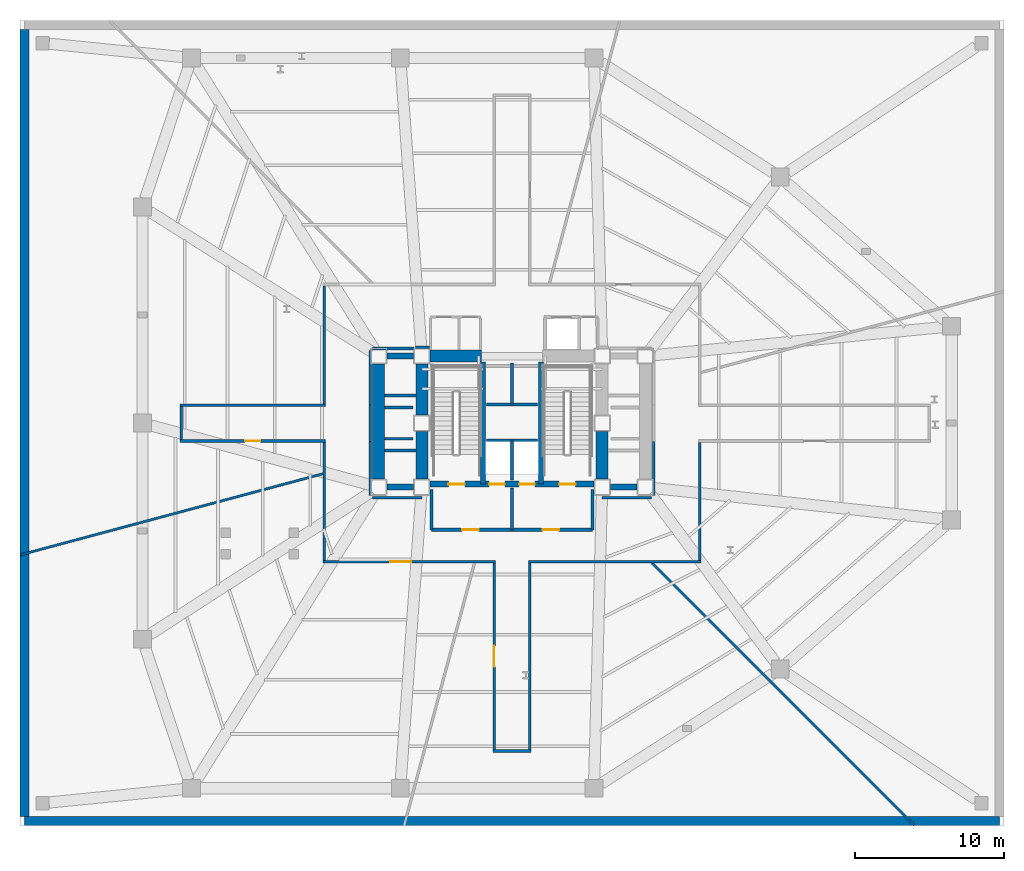
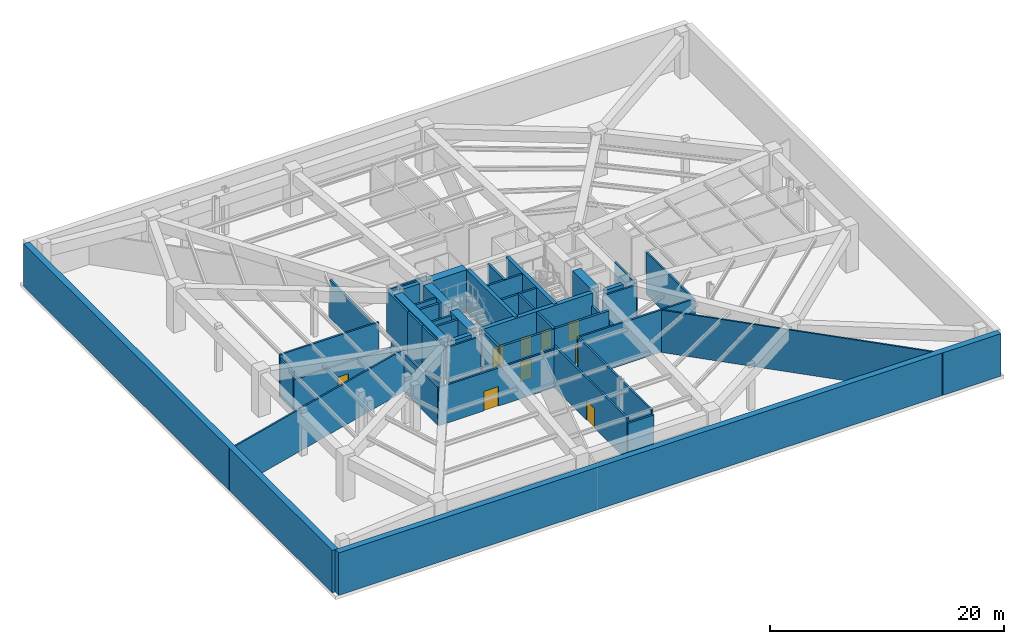
# One storey, part 3 of 6: 47 walls, 9 doors, 9 openings.
"""IFC4 building model written with IfcOpenShell, lengths in metres."""

from ifc_helpers import new_model, si_unit, direction, frame, frame_2d, origin, place, context, subcontext, project, spatial, rectangle, extrude, material, layer, layer_set, type_object, element, fill, save


model = new_model("IFC4")

# Units and contexts
model_context = context("Model", 3, precision=1e-05, world=origin(), true_north=direction((0.0, 1.0)))
body_context = subcontext(model_context, "Body", "Model", "MODEL_VIEW")
ifc_project = project(units=[si_unit("LENGTHUNIT", "METRE"), si_unit("AREAUNIT", "SQUARE_METRE"), si_unit("VOLUMEUNIT", "CUBIC_METRE"), si_unit("PLANEANGLEUNIT", "RADIAN"), si_unit("MASSUNIT", "GRAM", prefix="KILO")], contexts=[model_context])

# Site, building, storey
site_placement = place(None, origin())
site = spatial("IfcSite", under=ifc_project, at=site_placement, CompositionType="ELEMENT")
building_placement = place(site_placement, origin())
building = spatial("IfcBuilding", under=site, at=building_placement, Name="Rocaltana Carrier Exchange", CompositionType="ELEMENT")
storey_placement = place(building_placement, frame((0.0, 0.0, -4.800048828125)))
storey = spatial("IfcBuildingStorey", under=building, at=storey_placement, Name="Upper Basement", CompositionType="ELEMENT", Elevation=-4.800048828125)

# Walls
ifc_material_1 = material(Name="Double Acoustic Gypsum Partition", Category="gypsum")
ifc_layer_1 = layer(ifc_material_1, 0.159912109375)
ifc_layer_set_1 = layer_set([ifc_layer_1], Name="Double Acoustic Gypsum Partition")
wall_type_1 = type_object("IfcWallType", Name="Acoustic Studio Partition 160 EI60", PredefinedType="PARTITIONING", material=ifc_layer_set_1)
wall_1_placement = place(storey_placement, frame((-12.679931640625, -3.397705078125, 0.0), z_axis=(0.0, 0.0, 1.0), x_axis=(-0.965927838808, -0.258811534163, 0.0)))
element("IfcWall", 1, at=wall_1_placement, inside=storey, type_object=wall_type_1, Name="Upper Basement Suite Divider Wall D1", PredefinedType="PARTITIONING", context=body_context, shape_type="SweptSolid", body=[
    extrude(rectangle(XDim=21.0263671875, YDim=0.159912109375, at=frame_2d((10.51318359375, 0.0))), origin(), (0.0, 0.0, 1.0), 4.4130859375),
])
wall_2_placement = place(storey_placement, frame((9.3798828125, -9.3798828125, 0.0), z_axis=(0.0, 0.0, 1.0), x_axis=(0.707106781187, -0.707106781187, 0.0)))
element("IfcWall", 2, at=wall_2_placement, inside=storey, type_object=wall_type_1, Name="Upper Basement Suite Divider Wall D3", PredefinedType="PARTITIONING", context=body_context, shape_type="SweptSolid", body=[
    extrude(rectangle(XDim=24.904541015625, YDim=0.159912109375, at=frame_2d((12.4521484375, 0.0))), origin(), (0.0, 0.0, 1.0), 4.4130859375),
])
ifc_material_2 = material(Name="Concrete C50/60", Category="concrete")
ifc_layer_2 = layer(ifc_material_2, 0.60009765625)
ifc_layer_set_2 = layer_set([ifc_layer_2], Name="Concrete C50/60")
wall_type_2 = type_object("IfcWallType", Name="Basement Diaphragm Wall 600", PredefinedType="SOLIDWALL", material=ifc_layer_set_2)
wall_3_placement = place(storey_placement, frame((-32.699951171875, -26.699951171875, 0.0), z_axis=(0.0, 0.0, 1.0), x_axis=(1.0, 0.0, 0.0)))
element("IfcWall", 3, at=wall_3_placement, inside=storey, type_object=wall_type_2, Name="Upper Basement Diaphragm Wall RW-S", PredefinedType="SOLIDWALL", context=body_context, shape_type="SweptSolid", body=[
    extrude(rectangle(XDim=65.39990234375, YDim=0.60009765625, at=frame_2d((32.699951171875, 0.0))), origin(), (0.0, 0.0, 1.0), 4.43798828125),
])
wall_4_placement = place(storey_placement, frame((-32.699951171875, -26.39990234375, 0.0), z_axis=(0.0, 0.0, 1.0), x_axis=(0.0, 1.0, 0.0)))
element("IfcWall", 4, at=wall_4_placement, inside=storey, type_object=wall_type_2, Name="Upper Basement Diaphragm Wall RW-W", PredefinedType="SOLIDWALL", context=body_context, shape_type="SweptSolid", body=[
    extrude(rectangle(XDim=52.7998046875, YDim=0.60009765625, at=frame_2d((26.39990234375, 0.0))), origin(), (0.0, 0.0, 1.0), 4.43798828125),
])
ifc_material_3 = material(Name="Concrete C50/60", Category="concrete")
ifc_layer_3 = layer(ifc_material_3, 0.35009765625)
ifc_layer_set_3 = layer_set([ifc_layer_3], Name="Concrete C50/60")
wall_type_3 = type_object("IfcWallType", Name="Core Internal Shear Wall 350", PredefinedType="SHEAR", material=ifc_layer_set_3)
for number, where, z_axis, x_axis, name in (
    (5, (-1.93994140625, -4.10009765625, 0.0), (0.0, 0.0, 1.0), (0.0, 1.0, 0.0), "Upper Basement Core Shear Wall CW-STW"),
    (6, (1.93994140625, -4.10009765625, 0.0), (0.0, 0.0, 1.0), (0.0, 1.0, 0.0), "Upper Basement Core Shear Wall CW-STE"),
):
    element("IfcWall", number, at=place(storey_placement, frame(where, z_axis=z_axis, x_axis=x_axis)), inside=storey, type_object=wall_type_3, Name=name, PredefinedType="SHEAR", context=body_context, shape_type="SweptSolid", body=[
        extrude(rectangle(XDim=8.2001953125, YDim=0.35009765625, at=frame_2d((4.10009765625, 0.0))), origin(), (0.0, 0.0, 1.0), 4.43798828125),
    ])

# Wall, openings, doors
ifc_material_4 = material(Name="Concrete C50/60", Category="concrete")
ifc_layer_4 = layer(ifc_material_4, 0.39990234375)
ifc_layer_set_4 = layer_set([ifc_layer_4], Name="Concrete C50/60")
wall_type_4 = type_object("IfcWallType", Name="Core Internal Shear Wall 400", PredefinedType="SHEAR", material=ifc_layer_set_4)
wall_5_placement = place(storey_placement, frame((-5.5, -4.10009765625, 0.0), z_axis=(0.0, 0.0, 1.0), x_axis=(1.0, 0.0, 0.0)))
wall_5 = element("IfcWall", 7, at=wall_5_placement, inside=storey, type_object=wall_type_4, Name="Upper Basement Core Shear Wall CW-S", PredefinedType="SHEAR", context=body_context, shape_type="SweptSolid", body=[
    extrude(rectangle(XDim=11.0, YDim=0.39990234375, at=frame_2d((5.5, 0.0))), origin(), (0.0, 0.0, 1.0), 4.43798828125),
])
opening_1_placement = place(wall_5_placement, frame((1.22998046875, 0.0, 0.0)))
opening_1 = element("IfcOpeningElement", 8, at=opening_1_placement, cuts=wall_5, Name="Opening D-ST110", PredefinedType="OPENING", context=body_context, shape_type="SweptSolid", body=[
    extrude(rectangle(XDim=1.10009765625, YDim=2.0400390625, at=frame_2d((0.550048828125, 1.02001953125))), frame((0.0, 0.2099609375, 0.0), z_axis=(0.0, -1.0, 0.0), x_axis=(1.0, 0.0, 0.0)), (0.0, 0.0, 1.0), 0.419921875),
])
opening_2_placement = place(wall_5_placement, frame((8.669921875, 0.0, 0.0)))
opening_2 = element("IfcOpeningElement", 9, at=opening_2_placement, cuts=wall_5, Name="Opening D-ST110", PredefinedType="OPENING", context=body_context, shape_type="SweptSolid", body=[
    extrude(rectangle(XDim=1.10009765625, YDim=2.0400390625, at=frame_2d((0.550048828125, 1.02001953125))), frame((0.0, 0.2099609375, 0.0), z_axis=(0.0, -1.0, 0.0), x_axis=(1.0, 0.0, 0.0)), (0.0, 0.0, 1.0), 0.419921875),
])
opening_3_placement = place(wall_5_placement, frame((3.969970703125, 0.0, 0.0)))
opening_3 = element("IfcOpeningElement", 10, at=opening_3_placement, cuts=wall_5, Name="Opening LD-110", PredefinedType="OPENING", context=body_context, shape_type="SweptSolid", body=[
    extrude(rectangle(XDim=1.06005859375, YDim=2.0400390625, at=frame_2d((0.530029296875, 1.02001953125))), frame((0.0, 0.2099609375, 0.0), z_axis=(0.0, -1.0, 0.0), x_axis=(1.0, 0.0, 0.0)), (0.0, 0.0, 1.0), 0.419921875),
])
opening_4_placement = place(wall_5_placement, frame((5.969970703125, 0.0, 0.0)))
opening_4 = element("IfcOpeningElement", 11, at=opening_4_placement, cuts=wall_5, Name="Opening LD-110", PredefinedType="OPENING", context=body_context, shape_type="SweptSolid", body=[
    extrude(rectangle(XDim=1.06005859375, YDim=2.0400390625, at=frame_2d((0.530029296875, 1.02001953125))), frame((0.0, 0.2099609375, 0.0), z_axis=(0.0, -1.0, 0.0), x_axis=(1.0, 0.0, 0.0)), (0.0, 0.0, 1.0), 0.419921875),
])
ifc_material_5 = material(Name="Hollow Metal Fire Door Assembly", Category="steel")
door_type_1 = type_object("IfcDoorType", Name="Exit Stair Fire Door 1100x2040 FD90S", OperationType="NOTDEFINED", PredefinedType="DOOR", material=ifc_material_5)
door_1_placement = place(opening_1_placement, origin())
door_1 = element("IfcDoor", 12, at=door_1_placement, inside=storey, type_object=door_type_1, Name="Upper Basement Exit Stair ST1 Fire Door", OperationType="SINGLE_SWING_LEFT", OverallHeight=2.0400390625, OverallWidth=1.10009765625, PredefinedType="DOOR", context=body_context, shape_type="SweptSolid", body=[
    extrude(rectangle(XDim=1.10009765625, YDim=2.0400390625, at=frame_2d((0.550048828125, 1.02001953125))), frame((0.0, 0.02490234375, 0.0), z_axis=(0.0, -1.0, 0.0), x_axis=(1.0, 0.0, 0.0)), (0.0, 0.0, 1.0), 0.050048828125),
])
fill(opening_1, door_1)
door_2_placement = place(opening_2_placement, origin())
door_2 = element("IfcDoor", 13, at=door_2_placement, inside=storey, type_object=door_type_1, Name="Upper Basement Exit Stair ST2 Fire Door", OperationType="SINGLE_SWING_RIGHT", OverallHeight=2.0400390625, OverallWidth=1.10009765625, PredefinedType="DOOR", context=body_context, shape_type="SweptSolid", body=[
    extrude(rectangle(XDim=1.10009765625, YDim=2.0400390625, at=frame_2d((0.550048828125, 1.02001953125))), frame((0.0, 0.02490234375, 0.0), z_axis=(0.0, -1.0, 0.0), x_axis=(1.0, 0.0, 0.0)), (0.0, 0.0, 1.0), 0.050048828125),
])
fill(opening_2, door_2)
ifc_material_6 = material(Name="Brushed Stainless Sliding Door Leaf", Category="steel")
door_type_2 = type_object("IfcDoorType", Name="Lift Landing Sliding Door 1060x2040", OperationType="NOTDEFINED", PredefinedType="DOOR", material=ifc_material_6)
door_3_placement = place(opening_3_placement, origin())
door_3 = element("IfcDoor", 14, at=door_3_placement, inside=storey, type_object=door_type_2, Name="Upper Basement Firefighting Lift FFL1 Landing Door", OperationType="SLIDING_TO_LEFT", OverallHeight=2.0400390625, OverallWidth=1.06005859375, PredefinedType="DOOR", context=body_context, shape_type="SweptSolid", body=[
    extrude(rectangle(XDim=1.06005859375, YDim=2.0400390625, at=frame_2d((0.530029296875, 1.02001953125))), frame((0.0, 0.02490234375, 0.0), z_axis=(0.0, -1.0, 0.0), x_axis=(1.0, 0.0, 0.0)), (0.0, 0.0, 1.0), 0.050048828125),
])
fill(opening_3, door_3)
door_4_placement = place(opening_4_placement, origin())
door_4 = element("IfcDoor", 15, at=door_4_placement, inside=storey, type_object=door_type_2, Name="Upper Basement Firefighting Lift FFL2 Landing Door", OperationType="SLIDING_TO_RIGHT", OverallHeight=2.0400390625, OverallWidth=1.06005859375, PredefinedType="DOOR", context=body_context, shape_type="SweptSolid", body=[
    extrude(rectangle(XDim=1.06005859375, YDim=2.0400390625, at=frame_2d((0.530029296875, 1.02001953125))), frame((0.0, 0.02490234375, 0.0), z_axis=(0.0, -1.0, 0.0), x_axis=(1.0, 0.0, 0.0)), (0.0, 0.0, 1.0), 0.050048828125),
])
fill(opening_4, door_4)

# Walls
for number, where, z_axis, x_axis, name in (
    (16, (-8.39990234375, 4.5, 0.0), (0.0, 0.0, 1.0), (1.0, 0.0, 0.0), "Upper Basement Core Shear Wall CW-WWN"),
    (17, (-8.39990234375, -4.300048828125, 0.0), (0.0, 0.0, 1.0), (1.0, 0.0, 0.0), "Upper Basement Core Shear Wall CW-WWS"),
    (18, (6.60009765625, -4.300048828125, 0.0), (0.0, 0.0, 1.0), (1.0, 0.0, 0.0), "Upper Basement Core Shear Wall CW-EWS"),
):
    element("IfcWall", number, at=place(storey_placement, frame(where, z_axis=z_axis, x_axis=x_axis)), inside=storey, type_object=wall_type_4, Name=name, PredefinedType="SHEAR", context=body_context, shape_type="SweptSolid", body=[
        extrude(rectangle(XDim=1.7998046875, YDim=0.39990234375, at=frame_2d((0.89990234375, 0.0))), origin(), (0.0, 0.0, 1.0), 4.43798828125),
    ])
ifc_material_7 = material(Name="Concrete C60/75", Category="concrete")
ifc_layer_5 = layer(ifc_material_7, 0.800048828125)
ifc_layer_set_5 = layer_set([ifc_layer_5], Name="Concrete C60/75")
wall_type_5 = type_object("IfcWallType", Name="Core Shear Wall 800", PredefinedType="SHEAR", material=ifc_layer_set_5)
wall_6_placement = place(storey_placement, frame((-6.050048828125, 0.550048828125, 0.0), z_axis=(0.0, 0.0, 1.0), x_axis=(0.0, 1.0, 0.0)))
element("IfcWall", 19, at=wall_6_placement, inside=storey, type_object=wall_type_5, Name="Upper Basement Core Shear Wall CW-WN", PredefinedType="SHEAR", context=body_context, shape_type="SweptSolid", body=[
    extrude(rectangle(XDim=3.39990234375, YDim=0.800048828125, at=frame_2d((1.699951171875, 0.0))), origin(), (0.0, 0.0, 1.0), 4.43798828125),
])
for number, where, z_axis, x_axis, name in (
    (20, (-6.050048828125, -3.75, 0.0), (0.0, 0.0, 1.0), (0.0, 1.0, 0.0), "Upper Basement Core Shear Wall CW-WS"),
    (21, (6.050048828125, -3.75, 0.0), (0.0, 0.0, 1.0), (0.0, 1.0, 0.0), "Upper Basement Core Shear Wall CW-ES"),
):
    element("IfcWall", number, at=place(storey_placement, frame(where, z_axis=z_axis, x_axis=x_axis)), inside=storey, type_object=wall_type_5, Name=name, PredefinedType="SHEAR", context=body_context, shape_type="SweptSolid", body=[
        extrude(rectangle(XDim=3.199951171875, YDim=0.800048828125, at=frame_2d((1.60009765625, 0.0))), origin(), (0.0, 0.0, 1.0), 4.43798828125),
    ])
wall_7_placement = place(storey_placement, frame((-5.5, 4.5, 0.0), z_axis=(0.0, 0.0, 1.0), x_axis=(1.0, 0.0, 0.0)))
element("IfcWall", 22, at=wall_7_placement, inside=storey, type_object=wall_type_5, Name="Upper Basement Core Shear Wall CW-N1", PredefinedType="SHEAR", context=body_context, shape_type="SweptSolid", body=[
    extrude(rectangle(XDim=3.449951171875, YDim=0.800048828125, at=frame_2d((1.72509765625, 0.0))), origin(), (0.0, 0.0, 1.0), 4.43798828125),
])
wall_8_placement = place(storey_placement, frame((-8.949951171875, -3.75, 0.0), z_axis=(0.0, 0.0, 1.0), x_axis=(0.0, 1.0, 0.0)))
element("IfcWall", 23, at=wall_8_placement, inside=storey, type_object=wall_type_5, Name="Upper Basement Core Shear Wall CW-WW", PredefinedType="SHEAR", context=body_context, shape_type="SweptSolid", body=[
    extrude(rectangle(XDim=7.699951171875, YDim=0.800048828125, at=frame_2d((3.85009765625, 0.0))), origin(), (0.0, 0.0, 1.0), 4.43798828125),
])
ifc_material_8 = material(Name="Gypsum & Steel Stud Partition", Category="steel")
ifc_layer_6 = layer(ifc_material_8, 0.179931640625)
ifc_layer_set_6 = layer_set([ifc_layer_6], Name="Gypsum & Steel Stud Partition")
wall_type_6 = type_object("IfcWallType", Name="Corridor Fire Partition 180 EI60", PredefinedType="PARTITIONING", material=ifc_layer_set_6)
wall_9_placement = place(storey_placement, frame((-22.199951171875, -1.110107421875, 0.0), z_axis=(0.0, 0.0, 1.0), x_axis=(0.0, 1.0, 0.0)))
element("IfcWall", 24, at=wall_9_placement, inside=storey, type_object=wall_type_6, Name="Upper Basement Corridor Partition 1", PredefinedType="PARTITIONING", context=body_context, shape_type="SweptSolid", body=[
    extrude(rectangle(XDim=2.22021484375, YDim=0.179931640625, at=frame_2d((1.110107421875, 0.0))), origin(), (0.0, 0.0, 1.0), 3.97998046875),
])
wall_10_placement = place(storey_placement, frame((-22.2900390625, 1.199951171875, 0.0), z_axis=(0.0, 0.0, 1.0), x_axis=(1.0, 0.0, 0.0)))
element("IfcWall", 25, at=wall_10_placement, inside=storey, type_object=wall_type_6, Name="Upper Basement Corridor Partition 2", PredefinedType="PARTITIONING", context=body_context, shape_type="SweptSolid", body=[
    extrude(rectangle(XDim=9.780029296875, YDim=0.179931640625, at=frame_2d((4.89013671875, 0.0))), origin(), (0.0, 0.0, 1.0), 4.4130859375),
])
wall_11_placement = place(storey_placement, frame((-12.60009765625, 1.2900390625, 0.0), z_axis=(0.0, 0.0, 1.0), x_axis=(0.0, 1.0, 0.0)))
element("IfcWall", 26, at=wall_11_placement, inside=storey, type_object=wall_type_6, Name="Upper Basement Corridor Partition 3", PredefinedType="PARTITIONING", context=body_context, shape_type="SweptSolid", body=[
    extrude(rectangle(XDim=7.919921875, YDim=0.179931640625, at=frame_2d((3.9599609375, 0.0))), origin(), (0.0, 0.0, 1.0), 3.97998046875),
])
wall_12_placement = place(storey_placement, frame((12.60009765625, -1.2900390625, 0.0), z_axis=(0.0, 0.0, 1.0), x_axis=(0.0, -1.0, 0.0)))
element("IfcWall", 27, at=wall_12_placement, inside=storey, type_object=wall_type_6, Name="Upper Basement Corridor Partition 13", PredefinedType="PARTITIONING", context=body_context, shape_type="SweptSolid", body=[
    extrude(rectangle(XDim=7.919921875, YDim=0.179931640625, at=frame_2d((3.9599609375, 0.0))), origin(), (0.0, 0.0, 1.0), 4.4130859375),
])
wall_13_placement = place(storey_placement, frame((12.68994140625, -9.300048828125, 0.0), z_axis=(0.0, 0.0, 1.0), x_axis=(-1.0, 0.0, 0.0)))
element("IfcWall", 28, at=wall_13_placement, inside=storey, type_object=wall_type_6, Name="Upper Basement Corridor Partition 14", PredefinedType="PARTITIONING", context=body_context, shape_type="SweptSolid", body=[
    extrude(rectangle(XDim=11.579833984375, YDim=0.179931640625, at=frame_2d((5.7900390625, 0.0))), origin(), (0.0, 0.0, 1.0), 4.4130859375),
])
wall_14_placement = place(storey_placement, frame((1.199951171875, -9.389892578125, 0.0), z_axis=(0.0, 0.0, 1.0), x_axis=(0.0, -1.0, 0.0)))
element("IfcWall", 29, at=wall_14_placement, inside=storey, type_object=wall_type_6, Name="Upper Basement Corridor Partition 15", PredefinedType="PARTITIONING", context=body_context, shape_type="SweptSolid", body=[
    extrude(rectangle(XDim=12.52001953125, YDim=0.179931640625, at=frame_2d((6.260009765625, 0.0))), origin(), (0.0, 0.0, 1.0), 4.4130859375),
])
wall_15_placement = place(storey_placement, frame((1.2900390625, -22.0, 0.0), z_axis=(0.0, 0.0, 1.0), x_axis=(-1.0, 0.0, 0.0)))
element("IfcWall", 30, at=wall_15_placement, inside=storey, type_object=wall_type_6, Name="Upper Basement Corridor Partition 16", PredefinedType="PARTITIONING", context=body_context, shape_type="SweptSolid", body=[
    extrude(rectangle(XDim=2.580078125, YDim=0.179931640625, at=frame_2d((1.2900390625, 0.0))), origin(), (0.0, 0.0, 1.0), 3.97998046875),
])

# Wall, opening, door
wall_16_placement = place(storey_placement, frame((-1.199951171875, -21.909912109375, 0.0), z_axis=(0.0, 0.0, 1.0), x_axis=(0.0, 1.0, 0.0)))
wall_16 = element("IfcWall", 31, at=wall_16_placement, inside=storey, type_object=wall_type_6, Name="Upper Basement Corridor Partition 17", PredefinedType="PARTITIONING", context=body_context, shape_type="SweptSolid", body=[
    extrude(rectangle(XDim=12.52001953125, YDim=0.179931640625, at=frame_2d((6.260009765625, 0.0))), origin(), (0.0, 0.0, 1.0), 4.4130859375),
])
opening_5_placement = place(wall_16_placement, frame((5.56005859375, 0.0, 0.0)))
opening_5 = element("IfcOpeningElement", 32, at=opening_5_placement, cuts=wall_16, Name="Opening G-SEC150", PredefinedType="OPENING", context=body_context, shape_type="SweptSolid", body=[
    extrude(rectangle(XDim=1.39990234375, YDim=2.0400390625, at=frame_2d((0.699951171875, 1.02001953125))), frame((0.0, 0.099853515625, 0.0), z_axis=(0.0, -1.0, 0.0), x_axis=(1.0, 0.0, 0.0)), (0.0, 0.0, 1.0), 0.199951171875),
])
ifc_material_9 = material(Name="Anodised Aluminium Security Grille", Category="aluminium")
door_type_3 = type_object("IfcDoorType", Name="Plant & Substation Security Gate 1400x2040", OperationType="NOTDEFINED", PredefinedType="GATE", material=ifc_material_9)
door_5_placement = place(opening_5_placement, origin())
door_5 = element("IfcDoor", 33, at=door_5_placement, inside=storey, type_object=door_type_3, Name="Upper Basement Uninterruptible Power Supply Vault Entrance Door", OperationType="SINGLE_SWING_LEFT", OverallHeight=2.0400390625, OverallWidth=1.39990234375, PredefinedType="GATE", context=body_context, shape_type="SweptSolid", body=[
    extrude(rectangle(XDim=1.39990234375, YDim=2.0400390625, at=frame_2d((0.699951171875, 1.02001953125))), frame((0.0, 0.02490234375, 0.0), z_axis=(0.0, -1.0, 0.0), x_axis=(1.0, 0.0, 0.0)), (0.0, 0.0, 1.0), 0.050048828125),
])
fill(opening_5, door_5)

wall_17_placement = place(storey_placement, frame((-1.110107421875, -9.300048828125, 0.0), z_axis=(0.0, 0.0, 1.0), x_axis=(-1.0, 0.0, 0.0)))
wall_17 = element("IfcWall", 34, at=wall_17_placement, inside=storey, type_object=wall_type_6, Name="Upper Basement Corridor Partition 18", PredefinedType="PARTITIONING", context=body_context, shape_type="SweptSolid", body=[
    extrude(rectangle(XDim=11.579833984375, YDim=0.179931640625, at=frame_2d((5.7900390625, 0.0))), origin(), (0.0, 0.0, 1.0), 3.97998046875),
])
opening_6_placement = place(wall_17_placement, frame((5.662841796875, 0.0, 0.0)))
opening_6 = element("IfcOpeningElement", 35, at=opening_6_placement, cuts=wall_17, Name="Opening G-SEC150", PredefinedType="OPENING", context=body_context, shape_type="SweptSolid", body=[
    extrude(rectangle(XDim=1.39990234375, YDim=2.0400390625, at=frame_2d((0.699951171875, 1.02001953125))), frame((0.0, 0.099853515625, 0.0), z_axis=(0.0, -1.0, 0.0), x_axis=(1.0, 0.0, 0.0)), (0.0, 0.0, 1.0), 0.199951171875),
])
door_6_placement = place(opening_6_placement, origin())
door_6 = element("IfcDoor", 36, at=door_6_placement, inside=storey, type_object=door_type_3, Name="Upper Basement Medium-Voltage Switchgear Hall Entrance Door", OperationType="SINGLE_SWING_RIGHT", OverallHeight=2.0400390625, OverallWidth=1.39990234375, PredefinedType="GATE", context=body_context, shape_type="SweptSolid", body=[
    extrude(rectangle(XDim=1.39990234375, YDim=2.0400390625, at=frame_2d((0.699951171875, 1.02001953125))), frame((0.0, 0.02490234375, 0.0), z_axis=(0.0, -1.0, 0.0), x_axis=(1.0, 0.0, 0.0)), (0.0, 0.0, 1.0), 0.050048828125),
])
fill(opening_6, door_6)

# Wall
wall_18_placement = place(storey_placement, frame((-12.60009765625, -9.2099609375, 0.0), z_axis=(0.0, 0.0, 1.0), x_axis=(0.0, 1.0, 0.0)))
element("IfcWall", 37, at=wall_18_placement, inside=storey, type_object=wall_type_6, Name="Upper Basement Corridor Partition 19", PredefinedType="PARTITIONING", context=body_context, shape_type="SweptSolid", body=[
    extrude(rectangle(XDim=7.919921875, YDim=0.179931640625, at=frame_2d((3.9599609375, 0.0))), origin(), (0.0, 0.0, 1.0), 3.97998046875),
])

# Wall, opening, door
wall_19_placement = place(storey_placement, frame((-12.510009765625, -1.199951171875, 0.0), z_axis=(0.0, 0.0, 1.0), x_axis=(-1.0, 0.0, 0.0)))
wall_19 = element("IfcWall", 38, at=wall_19_placement, inside=storey, type_object=wall_type_6, Name="Upper Basement Corridor Partition 20", PredefinedType="PARTITIONING", context=body_context, shape_type="SweptSolid", body=[
    extrude(rectangle(XDim=9.780029296875, YDim=0.179931640625, at=frame_2d((4.89013671875, 0.0))), origin(), (0.0, 0.0, 1.0), 3.2431640625),
])
opening_7_placement = place(wall_19_placement, frame((4.3798828125, 0.0, 0.0)))
opening_7 = element("IfcOpeningElement", 39, at=opening_7_placement, cuts=wall_19, Name="Opening D-LB104", PredefinedType="OPENING", context=body_context, shape_type="SweptSolid", body=[
    extrude(rectangle(XDim=1.02001953125, YDim=2.02001953125, at=frame_2d((0.510009765625, 1.010009765625))), frame((0.0, 0.099853515625, 0.0), z_axis=(0.0, -1.0, 0.0), x_axis=(1.0, 0.0, 0.0)), (0.0, 0.0, 1.0), 0.199951171875),
])
ifc_material_10 = material(Name="Powder-Coated Aluminium 6063-T6", Category="aluminium")
door_type_4 = type_object("IfcDoorType", Name="Laboratory Acoustic Door 1020x2020", OperationType="NOTDEFINED", PredefinedType="DOOR", material=ifc_material_10)
door_7_placement = place(opening_7_placement, origin())
door_7 = element("IfcDoor", 40, at=door_7_placement, inside=storey, type_object=door_type_4, Name="Upper Basement Building Engineering Workshop Entrance Door", OperationType="SINGLE_SWING_LEFT", OverallHeight=2.02001953125, OverallWidth=1.02001953125, PredefinedType="DOOR", context=body_context, shape_type="SweptSolid", body=[
    extrude(rectangle(XDim=1.02001953125, YDim=2.02001953125, at=frame_2d((0.510009765625, 1.010009765625))), frame((0.0, 0.02490234375, 0.0), z_axis=(0.0, -1.0, 0.0), x_axis=(1.0, 0.0, 0.0)), (0.0, 0.0, 1.0), 0.050048828125),
])
fill(opening_7, door_7)

# Walls
wall_20_placement = place(storey_placement, frame((-9.510009765625, 4.8701171875, 0.0), z_axis=(0.0, 0.0, 1.0), x_axis=(0.0, -1.0, 0.0)))
element("IfcWall", 41, at=wall_20_placement, inside=storey, type_object=wall_type_6, Name="Upper Basement Corridor Partition 21", PredefinedType="PARTITIONING", context=body_context, shape_type="SweptSolid", body=[
    extrude(rectangle(XDim=3.690185546875, YDim=0.179931640625, at=frame_2d((1.84521484375, 0.0))), origin(), (0.0, 0.0, 1.0), 4.4130859375),
])
wall_21_placement = place(storey_placement, frame((-9.510009765625, 1.219970703125, 0.0), z_axis=(0.0, 0.0, 1.0), x_axis=(0.0, -1.0, 0.0)))
element("IfcWall", 42, at=wall_21_placement, inside=storey, type_object=wall_type_6, Name="Upper Basement Corridor Partition 22", PredefinedType="PARTITIONING", context=body_context, shape_type="SweptSolid", body=[
    extrude(rectangle(XDim=2.43994140625, YDim=0.179931640625, at=frame_2d((1.219970703125, 0.0))), origin(), (0.0, 0.0, 1.0), 4.4130859375),
])
wall_22_placement = place(storey_placement, frame((-9.510009765625, -1.179931640625, 0.0), z_axis=(0.0, 0.0, 1.0), x_axis=(0.0, -1.0, 0.0)))
element("IfcWall", 43, at=wall_22_placement, inside=storey, type_object=wall_type_6, Name="Upper Basement Corridor Partition 23", PredefinedType="PARTITIONING", context=body_context, shape_type="SweptSolid", body=[
    extrude(rectangle(XDim=3.690185546875, YDim=0.179931640625, at=frame_2d((1.84521484375, 0.0))), origin(), (0.0, 0.0, 1.0), 4.4130859375),
])
for number, where, z_axis, x_axis, name in (
    (44, (-9.3701171875, -5.010009765625, 0.0), (0.0, 0.0, 1.0), (1.0, 0.0, 0.0), "Upper Basement Corridor Partition 24"),
    (45, (6.030029296875, -5.010009765625, 0.0), (0.0, 0.0, 1.0), (1.0, 0.0, 0.0), "Upper Basement Corridor Partition 27"),
):
    element("IfcWall", number, at=place(storey_placement, frame(where, z_axis=z_axis, x_axis=x_axis)), inside=storey, type_object=wall_type_6, Name=name, PredefinedType="PARTITIONING", context=body_context, shape_type="SweptSolid", body=[
        extrude(rectangle(XDim=3.340087890625, YDim=0.179931640625, at=frame_2d((1.669921875, 0.0))), origin(), (0.0, 0.0, 1.0), 4.4130859375),
    ])
wall_23_placement = place(storey_placement, frame((9.510009765625, -4.8701171875, 0.0), z_axis=(0.0, 0.0, 1.0), x_axis=(0.0, 1.0, 0.0)))
element("IfcWall", 46, at=wall_23_placement, inside=storey, type_object=wall_type_6, Name="Upper Basement Corridor Partition 28", PredefinedType="PARTITIONING", context=body_context, shape_type="SweptSolid", body=[
    extrude(rectangle(XDim=3.690185546875, YDim=0.179931640625, at=frame_2d((1.84521484375, 0.0))), origin(), (0.0, 0.0, 1.0), 4.4130859375),
])
wall_24_placement = place(storey_placement, frame((-5.52001953125, 5.080078125, 0.0), z_axis=(0.0, 0.0, 1.0), x_axis=(-1.0, 0.0, 0.0)))
element("IfcWall", 47, at=wall_24_placement, inside=storey, type_object=wall_type_6, Name="Upper Basement Corridor Partition 35", PredefinedType="PARTITIONING", context=body_context, shape_type="SweptSolid", body=[
    extrude(rectangle(XDim=0.949951171875, YDim=0.179931640625, at=frame_2d((0.47509765625, 0.0))), origin(), (0.0, 0.0, 1.0), 4.4130859375),
])
wall_25_placement = place(storey_placement, frame((-6.562255859375, 5.010009765625, 0.0), z_axis=(0.0, 0.0, 1.0), x_axis=(-1.0, 0.0, 0.0)))
element("IfcWall", 48, at=wall_25_placement, inside=storey, type_object=wall_type_6, Name="Upper Basement Corridor Partition 36", PredefinedType="PARTITIONING", context=body_context, shape_type="SweptSolid", body=[
    extrude(rectangle(XDim=2.807861328125, YDim=0.179931640625, at=frame_2d((1.40380859375, 0.0))), origin(), (0.0, 0.0, 1.0), 4.4130859375),
])
ifc_material_11 = material(Name="Autoclaved Aerated Concrete C30/37", Category="concrete")
ifc_layer_7 = layer(ifc_material_11, 0.219970703125)
ifc_layer_set_7 = layer_set([ifc_layer_7], Name="Autoclaved Aerated Concrete C30/37")
wall_type_7 = type_object("IfcWallType", Name="Firefighting Lobby Wall 220 EI120", PredefinedType="PARTITIONING", material=ifc_layer_set_7)
wall_26_placement = place(storey_placement, frame((-5.39990234375, -7.159912109375, 0.0), z_axis=(0.0, 0.0, 1.0), x_axis=(0.0, 1.0, 0.0)))
element("IfcWall", 49, at=wall_26_placement, inside=storey, type_object=wall_type_7, Name="Upper Basement FFL Lobby 1 West Wall", PredefinedType="PARTITIONING", context=body_context, shape_type="SweptSolid", body=[
    extrude(rectangle(XDim=2.7099609375, YDim=0.219970703125, at=frame_2d((1.35498046875, 0.0))), origin(), (0.0, 0.0, 1.0), 4.4130859375),
])
wall_27_placement = place(storey_placement, frame((5.39990234375, -7.159912109375, 0.0), z_axis=(0.0, 0.0, 1.0), x_axis=(0.0, 1.0, 0.0)))
element("IfcWall", 50, at=wall_27_placement, inside=storey, type_object=wall_type_7, Name="Upper Basement FFL Lobby 2 East Wall", PredefinedType="PARTITIONING", context=body_context, shape_type="SweptSolid", body=[
    extrude(rectangle(XDim=2.7099609375, YDim=0.219970703125, at=frame_2d((1.35498046875, 0.0))), origin(), (0.0, 0.0, 1.0), 3.2431640625),
])
wall_28_placement = place(storey_placement, frame((0.0, -7.159912109375, 0.0), z_axis=(0.0, 0.0, 1.0), x_axis=(0.0, 1.0, 0.0)))
element("IfcWall", 51, at=wall_28_placement, inside=storey, type_object=wall_type_7, Name="Upper Basement FFL Lobby Centre Wall", PredefinedType="PARTITIONING", context=body_context, shape_type="SweptSolid", body=[
    extrude(rectangle(XDim=2.809814453125, YDim=0.219970703125, at=frame_2d((1.40478515625, 0.0))), origin(), (0.0, 0.0, 1.0), 4.4130859375),
])

# Wall, opening, door
wall_29_placement = place(storey_placement, frame((-5.39990234375, -7.159912109375, 0.0), z_axis=(0.0, 0.0, 1.0), x_axis=(1.0, 0.0, 0.0)))
wall_29 = element("IfcWall", 52, at=wall_29_placement, inside=storey, type_object=wall_type_7, Name="Upper Basement FFL Lobby 1 South Wall", PredefinedType="PARTITIONING", context=body_context, shape_type="SweptSolid", body=[
    extrude(rectangle(XDim=5.39990234375, YDim=0.219970703125, at=frame_2d((2.699951171875, 0.0))), origin(), (0.0, 0.0, 1.0), 4.4130859375),
])
opening_8_placement = place(wall_29_placement, frame((2.050048828125, 0.0, 0.0)))
opening_8 = element("IfcOpeningElement", 53, at=opening_8_placement, cuts=wall_29, Name="Opening D-FF115", PredefinedType="OPENING", context=body_context, shape_type="SweptSolid", body=[
    extrude(rectangle(XDim=1.1201171875, YDim=2.02001953125, at=frame_2d((0.56005859375, 1.010009765625))), frame((0.0, 0.119873046875, 0.0), z_axis=(0.0, -1.0, 0.0), x_axis=(1.0, 0.0, 0.0)), (0.0, 0.0, 1.0), 0.239990234375),
])
ifc_material_12 = material(Name="Hollow Metal Fire Door Assembly", Category="steel")
door_type_5 = type_object("IfcDoorType", Name="Firefighting Lobby Door 1120x2020 FD60S", OperationType="NOTDEFINED", PredefinedType="DOOR", material=ifc_material_12)
door_8_placement = place(opening_8_placement, origin())
door_8 = element("IfcDoor", 54, at=door_8_placement, inside=storey, type_object=door_type_5, Name="Upper Basement Firefighting Lift Lobby 1 Door", OperationType="SINGLE_SWING_LEFT", OverallHeight=2.02001953125, OverallWidth=1.1201171875, PredefinedType="DOOR", context=body_context, shape_type="SweptSolid", body=[
    extrude(rectangle(XDim=1.1201171875, YDim=2.02001953125, at=frame_2d((0.56005859375, 1.010009765625))), frame((0.0, 0.02490234375, 0.0), z_axis=(0.0, -1.0, 0.0), x_axis=(1.0, 0.0, 0.0)), (0.0, 0.0, 1.0), 0.050048828125),
])
fill(opening_8, door_8)

wall_30_placement = place(storey_placement, frame((0.0, -7.159912109375, 0.0), z_axis=(0.0, 0.0, 1.0), x_axis=(1.0, 0.0, 0.0)))
wall_30 = element("IfcWall", 55, at=wall_30_placement, inside=storey, type_object=wall_type_7, Name="Upper Basement FFL Lobby 2 South Wall", PredefinedType="PARTITIONING", context=body_context, shape_type="SweptSolid", body=[
    extrude(rectangle(XDim=5.39990234375, YDim=0.219970703125, at=frame_2d((2.699951171875, 0.0))), origin(), (0.0, 0.0, 1.0), 4.4130859375),
])
opening_9_placement = place(wall_30_placement, frame((2.050048828125, 0.0, 0.0)))
opening_9 = element("IfcOpeningElement", 56, at=opening_9_placement, cuts=wall_30, Name="Opening D-FF115", PredefinedType="OPENING", context=body_context, shape_type="SweptSolid", body=[
    extrude(rectangle(XDim=1.1201171875, YDim=2.02001953125, at=frame_2d((0.56005859375, 1.010009765625))), frame((0.0, 0.119873046875, 0.0), z_axis=(0.0, -1.0, 0.0), x_axis=(1.0, 0.0, 0.0)), (0.0, 0.0, 1.0), 0.239990234375),
])
door_9_placement = place(opening_9_placement, origin())
door_9 = element("IfcDoor", 57, at=door_9_placement, inside=storey, type_object=door_type_5, Name="Upper Basement Firefighting Lift Lobby 2 Door", OperationType="SINGLE_SWING_RIGHT", OverallHeight=2.02001953125, OverallWidth=1.1201171875, PredefinedType="DOOR", context=body_context, shape_type="SweptSolid", body=[
    extrude(rectangle(XDim=1.1201171875, YDim=2.02001953125, at=frame_2d((0.56005859375, 1.010009765625))), frame((0.0, 0.02490234375, 0.0), z_axis=(0.0, -1.0, 0.0), x_axis=(1.0, 0.0, 0.0)), (0.0, 0.0, 1.0), 0.050048828125),
])
fill(opening_9, door_9)

# Walls
ifc_material_13 = material(Name="Reinforced Concrete Block C35/45", Category="concrete")
ifc_layer_8 = layer(ifc_material_13, 0.199951171875)
ifc_layer_set_8 = layer_set([ifc_layer_8], Name="Reinforced Concrete Block C35/45")
wall_type_8 = type_object("IfcWallType", Name="Lift Hoistway Enclosure Wall 200 EI120", PredefinedType="PARTITIONING", material=ifc_layer_set_8)
wall_31_placement = place(storey_placement, frame((0.0, -3.820068359375, 0.0), z_axis=(0.0, 0.0, 1.0), x_axis=(0.0, 1.0, 0.0)))
element("IfcWall", 58, at=wall_31_placement, inside=storey, type_object=wall_type_8, Name="Upper Basement FFL Shaft Divider", PredefinedType="PARTITIONING", context=body_context, shape_type="SweptSolid", body=[
    extrude(rectangle(XDim=2.670166015625, YDim=0.199951171875, at=frame_2d((1.3349609375, 0.0))), origin(), (0.0, 0.0, 1.0), 4.4130859375),
])
wall_32_placement = place(storey_placement, frame((-1.719970703125, -1.14990234375, 0.0), z_axis=(0.0, 0.0, 1.0), x_axis=(1.0, 0.0, 0.0)))
element("IfcWall", 59, at=wall_32_placement, inside=storey, type_object=wall_type_8, Name="Upper Basement FFL Shaft Back Wall", PredefinedType="PARTITIONING", context=body_context, shape_type="SweptSolid", body=[
    extrude(rectangle(XDim=3.43994140625, YDim=0.199951171875, at=frame_2d((1.719970703125, 0.0))), origin(), (0.0, 0.0, 1.0), 4.4130859375),
])
wall_33_placement = place(storey_placement, frame((0.0, 1.25, 0.0), z_axis=(0.0, 0.0, 1.0), x_axis=(0.0, 1.0, 0.0)))
element("IfcWall", 60, at=wall_33_placement, inside=storey, type_object=wall_type_8, Name="Upper Basement High-Rise Shaft Divider", PredefinedType="PARTITIONING", context=body_context, shape_type="SweptSolid", body=[
    extrude(rectangle(XDim=2.77001953125, YDim=0.199951171875, at=frame_2d((1.385009765625, 0.0))), origin(), (0.0, 0.0, 1.0), 4.4130859375),
])
wall_34_placement = place(storey_placement, frame((-1.719970703125, 1.25, 0.0), z_axis=(0.0, 0.0, 1.0), x_axis=(1.0, 0.0, 0.0)))
element("IfcWall", 61, at=wall_34_placement, inside=storey, type_object=wall_type_8, Name="Upper Basement High-Rise Shaft Back Wall", PredefinedType="PARTITIONING", context=body_context, shape_type="SweptSolid", body=[
    extrude(rectangle(XDim=3.43994140625, YDim=0.199951171875, at=frame_2d((1.719970703125, 0.0))), origin(), (0.0, 0.0, 1.0), 4.4130859375),
])
for number, where, z_axis, x_axis, name in (
    (62, (-8.550048828125, -1.85009765625, 0.0), (0.0, 0.0, 1.0), (1.0, 0.0, 0.0), "Upper Basement Low-Rise Shaft Divider 1"),
    (63, (-8.550048828125, 1.85009765625, 0.0), (0.0, 0.0, 1.0), (1.0, 0.0, 0.0), "Upper Basement Low-Rise Shaft Divider 2"),
):
    element("IfcWall", number, at=place(storey_placement, frame(where, z_axis=z_axis, x_axis=x_axis)), inside=storey, type_object=wall_type_8, Name=name, PredefinedType="PARTITIONING", context=body_context, shape_type="SweptSolid", body=[
        extrude(rectangle(XDim=2.10009765625, YDim=0.199951171875, at=frame_2d((1.050048828125, 0.0))), origin(), (0.0, 0.0, 1.0), 4.4130859375),
    ])
for number, where, z_axis, x_axis, name in (
    (64, (-8.550048828125, -1.050048828125, 0.0), (0.0, 0.0, 1.0), (1.0, 0.0, 0.0), "Upper Basement Low-Rise Center Shaft Wall South"),
    (65, (-8.550048828125, 1.050048828125, 0.0), (0.0, 0.0, 1.0), (1.0, 0.0, 0.0), "Upper Basement Low-Rise Center Shaft Wall North"),
):
    element("IfcWall", number, at=place(storey_placement, frame(where, z_axis=z_axis, x_axis=x_axis)), inside=storey, type_object=wall_type_8, Name=name, PredefinedType="PARTITIONING", context=body_context, shape_type="SweptSolid", body=[
        extrude(rectangle(XDim=1.91015625, YDim=0.199951171875, at=frame_2d((0.955078125, 0.0))), origin(), (0.0, 0.0, 1.0), 4.4130859375),
    ])

save(model, "model.ifc")
